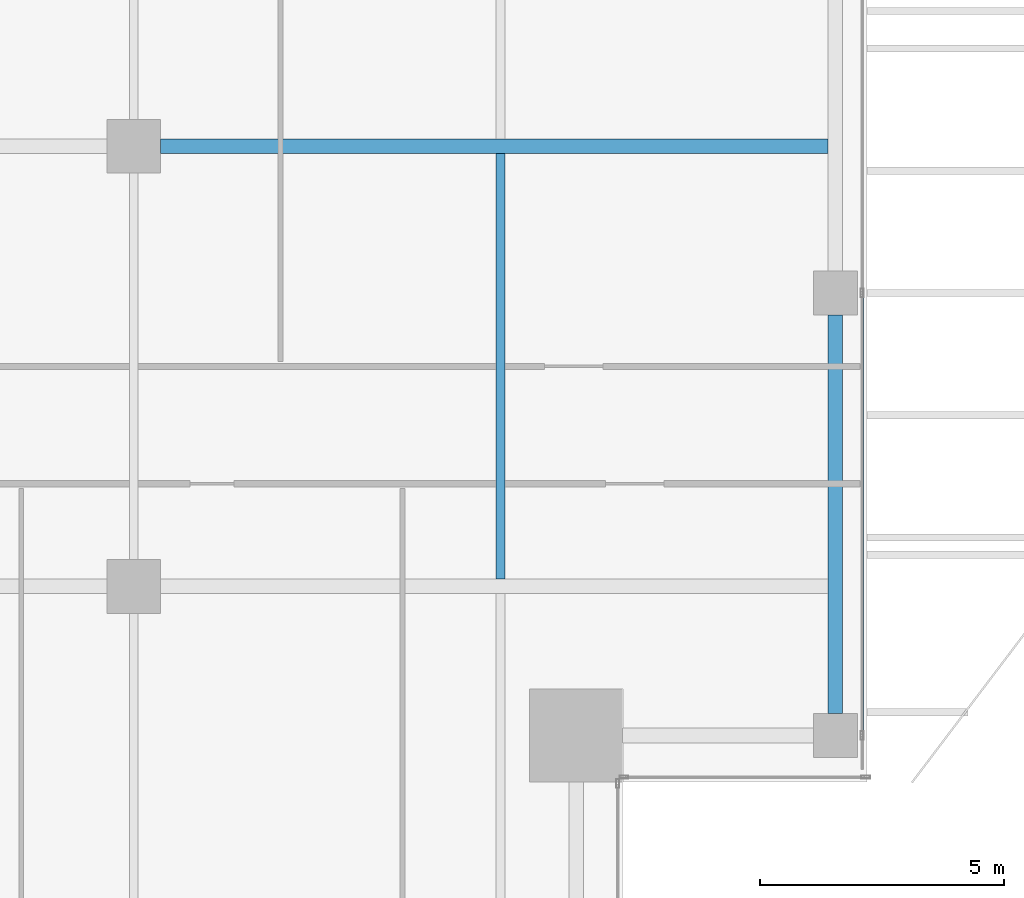
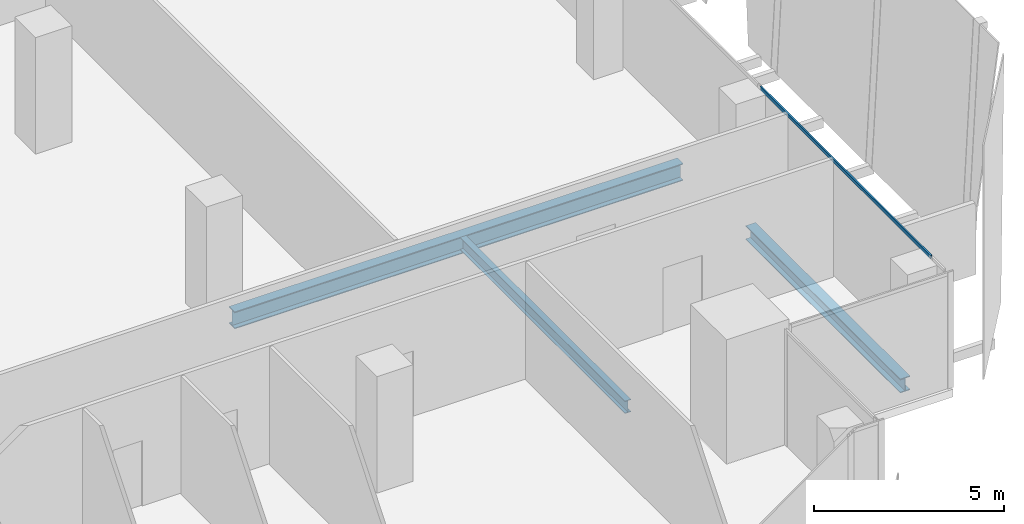
# One storey, part 10 of 35: 3 beams, 1 member, 1 element without a shape of its own.
"""IFC4 building model written with IfcOpenShell, lengths in metres."""

from ifc_helpers import new_model, si_unit, direction, frame, origin, origin_2d, place, context, subcontext, project, spatial, hollow_rectangle, i_section, extrude, source, transform, mapped, material, material_profile, profile_set, type_object, element, aggregate, save


model = new_model("IFC4")

# Units and contexts
model_context = context("Model", 3, precision=1e-05, world=origin(), true_north=direction((0.0, 1.0)))
body_context = subcontext(model_context, "Body", "Model", "MODEL_VIEW")
ifc_project = project(units=[si_unit("LENGTHUNIT", "METRE"), si_unit("AREAUNIT", "SQUARE_METRE"), si_unit("VOLUMEUNIT", "CUBIC_METRE"), si_unit("PLANEANGLEUNIT", "RADIAN"), si_unit("MASSUNIT", "GRAM", prefix="KILO")], contexts=[model_context])

# Site, building, storey
site_placement = place(None, origin())
site = spatial("IfcSite", under=ifc_project, at=site_placement, CompositionType="ELEMENT")
building_placement = place(site_placement, origin())
building = spatial("IfcBuilding", under=site, at=building_placement, Name="Khomas Fold Tower", CompositionType="ELEMENT")
storey_placement = place(building_placement, frame((0.0, 0.0, 266.199951171875)))
storey = spatial("IfcBuildingStorey", under=building, at=storey_placement, Name="L60", CompositionType="ELEMENT", Elevation=266.199951171875)

# Beams
ifc_material_1 = material(Name="Steel S355", Category="steel")
ifc_material_profile_1 = material_profile(ifc_material_1, i_section(OverallWidth=0.179931640625, OverallDepth=0.39990234375, WebThickness=0.008544921875, FlangeThickness=0.013427734375, at=origin_2d()), Name="IPE 400")
ifc_profile_set_1 = profile_set([ifc_material_profile_1], Name="Steel S355")
beam_type_1 = type_object("IfcBeamType", Name="IPE 400 beam JB3", PredefinedType="BEAM", material=ifc_profile_set_1)
shared_shape_1 = source(origin(), body_context, "Body", "SweptSolid", [
    extrude(i_section(OverallWidth=0.179931640625, OverallDepth=0.39990234375, WebThickness=0.008544921875, FlangeThickness=0.013427734375, at=origin_2d()), origin(), (0.0, 0.0, 1.0), 8.7001953125),
])
beam_1_placement = place(storey_placement, frame((42.0, 13.64990234375, -0.449951171875), z_axis=(0.0, 1.0, 0.0), x_axis=(-1.0, 0.0, 0.0)))
element("IfcBeam", 1, at=beam_1_placement, inside=storey, type_object=beam_type_1, Name="JB3", PredefinedType="BEAM", context=body_context, shape_type="MappedRepresentation", body=[
    mapped(shared_shape_1, transform((0.0, 0.0, 0.0))),
])
ifc_material_2 = material(Name="Steel S355", Category="steel")
ifc_material_profile_2 = material_profile(ifc_material_2, i_section(OverallWidth=0.300048828125, OverallDepth=0.449951171875, WebThickness=0.013916015625, FlangeThickness=0.02587890625, at=origin_2d()), Name="HE 450 B")
ifc_profile_set_2 = profile_set([ifc_material_profile_2], Name="Steel S355")
beam_type_2 = type_object("IfcBeamType", Name="HE 450 B spandrel SB4", PredefinedType="SPANDREL", material=ifc_profile_set_2)
shared_shape_2 = source(origin(), body_context, "Body", "SweptSolid", [
    extrude(i_section(OverallWidth=0.300048828125, OverallDepth=0.449951171875, WebThickness=0.013916015625, FlangeThickness=0.02587890625, at=origin_2d()), origin(), (0.0, 0.0, 1.0), 8.150146484375),
])
beam_2_placement = place(storey_placement, frame((48.85009765625, 10.89990234375, -0.474853515625), z_axis=(0.0, 1.0, 0.0), x_axis=(-1.0, 0.0, 0.0)))
element("IfcBeam", 2, at=beam_2_placement, inside=storey, type_object=beam_type_2, Name="SB4", PredefinedType="SPANDREL", context=body_context, shape_type="MappedRepresentation", body=[
    mapped(shared_shape_2, transform((0.0, 0.0, 0.0))),
])
ifc_material_3 = material(Name="Steel S355", Category="steel")
ifc_material_profile_3 = material_profile(ifc_material_3, i_section(OverallWidth=0.300048828125, OverallDepth=0.550048828125, WebThickness=0.014892578125, FlangeThickness=0.029052734375, at=origin_2d()), Name="HE 550 B")
ifc_profile_set_3 = profile_set([ifc_material_profile_3], Name="Steel S355")
beam_type_3 = type_object("IfcBeamType", Name="HE 550 B beam GB4", PredefinedType="BEAM", material=ifc_profile_set_3)
shared_shape_3 = source(origin(), body_context, "Body", "SweptSolid", [
    extrude(i_section(OverallWidth=0.300048828125, OverallDepth=0.550048828125, WebThickness=0.014892578125, FlangeThickness=0.029052734375, at=origin_2d()), origin(), (0.0, 0.0, 1.0), 13.64990234375),
])
beam_3_placement = place(storey_placement, frame((35.050048828125, 22.5, -0.52490234375), z_axis=(1.0, 0.0, 0.0), x_axis=(0.0, 1.0, 0.0)))
element("IfcBeam", 3, at=beam_3_placement, inside=storey, type_object=beam_type_3, Name="GB4", PredefinedType="BEAM", context=body_context, shape_type="MappedRepresentation", body=[
    mapped(shared_shape_3, transform((0.0, 0.0, 0.0))),
])

# Curtain wall, member
ifc_material_4 = material(Name="Aluminium framed double glazing", Category="aluminium")
curtain_wall_type = type_object("IfcCurtainWallType", Name="SK-Unitised clear-glass wall, office floors CW2", PredefinedType="NOTDEFINED", material=ifc_material_4)
curtain_wall_placement = place(storey_placement, origin())
curtain_wall = element("IfcCurtainWall", 4, at=curtain_wall_placement, inside=storey, type_object=curtain_wall_type, Name="CW2 run L60 03-0", PredefinedType="NOTDEFINED")
ifc_material_5 = material(Name="Aluminium", Category="aluminium")
ifc_material_profile_4 = material_profile(ifc_material_5, hollow_rectangle(XDim=0.050048828125, YDim=0.110107421875, WallThickness=0.00390625, at=origin_2d()), Name="SK-Unitised clear-glass wall, office floors transom CW2-T")
ifc_profile_set_4 = profile_set([ifc_material_profile_4], Name="Aluminium")
member_type = type_object("IfcMemberType", Name="SK-Unitised clear-glass wall, office floors transom CW2-T", PredefinedType="USERDEFINED", material=ifc_profile_set_4)
shared_shape_4 = source(origin(), body_context, "Body", "SweptSolid", [
    extrude(hollow_rectangle(XDim=0.050048828125, YDim=0.110107421875, WallThickness=0.00390625, at=origin_2d()), origin(), (0.0, 0.0, 1.0), 8.989990234375),
])
member_placement = place(storey_placement, frame((49.39990234375, 10.47998046875, 3.695068359375), z_axis=(0.0, 1.0, 0.0), x_axis=(-1.0, 0.0, 0.0)))
member = element("IfcMember", 5, at=member_placement, type_object=member_type, Name="CW2 transom 2", ObjectType="TRANSOM", PredefinedType="USERDEFINED", context=body_context, shape_type="MappedRepresentation", body=[
    mapped(shared_shape_4, transform((0.0, 0.0, 0.0))),
])
aggregate(curtain_wall, [member])

save(model, "model.ifc")
